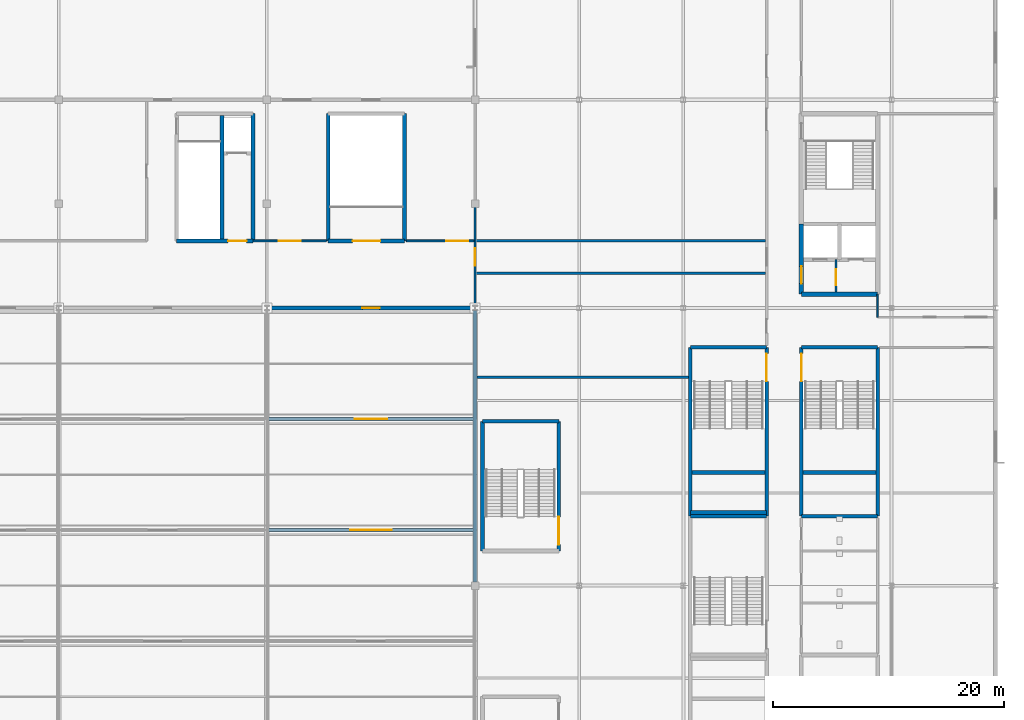
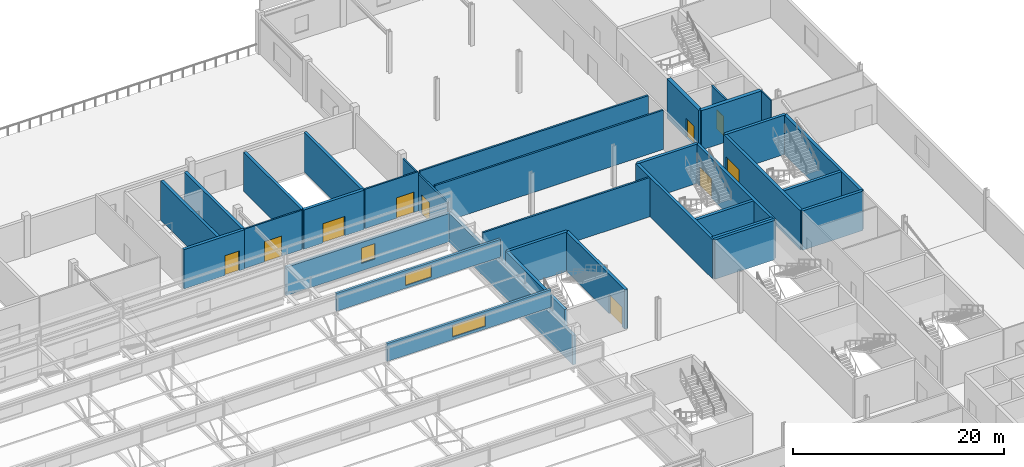
# One storey, part 106 of 136: 34 walls, 10 doors, 3 windows, 13 openings.
"""IFC4 building model written with IfcOpenShell, lengths in metres."""

from ifc_helpers import new_model, si_unit, direction, frame, frame_2d, origin, place, context, subcontext, project, spatial, rectangle, extrude, material, layer, layer_set, type_object, element, fill, save


model = new_model("IFC4")

# Units and contexts
model_context = context("Model", 3, precision=1e-05, world=origin(), true_north=direction((0.0, 1.0)))
body_context = subcontext(model_context, "Body", "Model", "MODEL_VIEW")
ifc_project = project(units=[si_unit("LENGTHUNIT", "METRE"), si_unit("AREAUNIT", "SQUARE_METRE"), si_unit("VOLUMEUNIT", "CUBIC_METRE"), si_unit("PLANEANGLEUNIT", "RADIAN"), si_unit("MASSUNIT", "GRAM", prefix="KILO")], contexts=[model_context])

# Site, building, storey
site_placement = place(None, origin())
site = spatial("IfcSite", under=ifc_project, at=site_placement, CompositionType="ELEMENT")
building_placement = place(site_placement, origin())
building = spatial("IfcBuilding", under=site, at=building_placement, Name="Kisiwana Market Hall", CompositionType="ELEMENT")
storey_placement = place(building_placement, frame((0.0, 0.0, 16.800048828125)))
storey = spatial("IfcBuildingStorey", under=building, at=storey_placement, Name="L03", CompositionType="ELEMENT", Elevation=16.800048828125)

# Wall, opening, door
ifc_material_1 = material(Name="Masonry blockwork", Category="masonry")
ifc_layer_1 = layer(ifc_material_1, 0.199951171875, Name="Plastered fire compartment block wall")
ifc_layer_set_1 = layer_set([ifc_layer_1], Name="WL-COMP-200")
wall_type_1 = type_object("IfcWallType", Name="WL-COMP-200", PredefinedType="PARTITIONING", material=ifc_layer_set_1)
wall_1_placement = place(storey_placement, frame((184.199951171875, 85.39990234375, 0.0), z_axis=(0.0, 0.0, 1.0), x_axis=(0.0, 1.0, 0.0)))
wall_1 = element("IfcWall", 1, at=wall_1_placement, inside=storey, type_object=wall_type_1, Name="Core E1 firefighting lobby wall W-1441", PredefinedType="PARTITIONING", context=body_context, shape_type="SweptSolid", body=[
    extrude(rectangle(XDim=2.780029296875, YDim=0.199951171875, at=frame_2d((1.39013671875, 0.0))), origin(), (0.0, 0.0, 1.0), 4.554931640625),
])
opening_1_placement = place(wall_1_placement, frame((0.550048828125, 0.0, 0.0)))
opening_1 = element("IfcOpeningElement", 2, at=opening_1_placement, cuts=wall_1, Name="Opening DR-L03-012", PredefinedType="OPENING", context=body_context, shape_type="SweptSolid", body=[
    extrude(rectangle(XDim=1.39990234375, YDim=2.25, at=frame_2d((0.699951171875, 1.125))), frame((0.0, 0.11181640625, 0.0), z_axis=(0.0, -1.0, 0.0), x_axis=(1.0, 0.0, 0.0)), (0.0, 0.0, 1.0), 0.223876953125),
])
ifc_material_2 = material(Name="Steel S275", Category="steel")
door_type_1 = type_object("IfcDoorType", Name="DR-FFLOB-FD120-1400", OperationType="DOUBLE_DOOR_SINGLE_SWING", PredefinedType="DOOR", material=ifc_material_2)
door_1_placement = place(opening_1_placement, origin())
door_1 = element("IfcDoor", 3, at=door_1_placement, inside=storey, type_object=door_type_1, Name="Firefighting Lift Lobby E1 Door (L03)", OperationType="DOUBLE_DOOR_SINGLE_SWING", OverallHeight=2.25, OverallWidth=1.39990234375, PredefinedType="DOOR", context=body_context, shape_type="SweptSolid", body=[
    extrude(rectangle(XDim=1.39990234375, YDim=2.25, at=frame_2d((0.699951171875, 1.125))), frame((0.0, 0.02490234375, 0.0), z_axis=(0.0, -1.0, 0.0), x_axis=(1.0, 0.0, 0.0)), (0.0, 0.0, 1.0), 0.050048828125),
])
fill(opening_1, door_1)

# Walls
wall_2_placement = place(storey_placement, frame((153.169921875, 78.0, 0.0), z_axis=(0.0, 0.0, 1.0), x_axis=(1.0, 0.0, 0.0)))
element("IfcWall", 4, at=wall_2_placement, inside=storey, type_object=wall_type_1, Name="Interior partition W-1483", PredefinedType="PARTITIONING", context=body_context, shape_type="SweptSolid", body=[
    extrude(rectangle(XDim=18.27001953125, YDim=0.199951171875, at=frame_2d((9.135009765625, 0.0))), origin(), (0.0, 0.0, 1.0), 4.554931640625),
])
for number, where, z_axis, x_axis, name in (
    (5, (153.0849609375, 87.0, 0.0), (0.0, 0.0, 1.0), (1.0, 0.0, 0.0), "Interior partition W-1484"),
    (6, (153.0849609375, 89.800048828125, 0.0), (0.0, 0.0, 1.0), (1.0, 0.0, 0.0), "Interior partition W-1485"),
):
    element("IfcWall", number, at=place(storey_placement, frame(where, z_axis=z_axis, x_axis=x_axis)), inside=storey, type_object=wall_type_1, Name=name, PredefinedType="PARTITIONING", context=body_context, shape_type="SweptSolid", body=[
        extrude(rectangle(XDim=25.01513671875, YDim=0.199951171875, at=frame_2d((12.507568359375, 0.0))), origin(), (0.0, 0.0, 1.0), 4.554931640625),
    ])

# Wall, opening, door
ifc_material_3 = material(Name="Concrete C40/50", Category="concrete")
ifc_layer_2 = layer(ifc_material_3, 0.320068359375, Name="Reinforced concrete shaft wall")
ifc_layer_set_2 = layer_set([ifc_layer_2], Name="WL-CORE-320")
wall_type_2 = type_object("IfcWallType", Name="WL-CORE-320", PredefinedType="SHEAR", material=ifc_layer_set_2)
wall_3_placement = place(storey_placement, frame((127.199951171875, 89.800048828125, 0.0), z_axis=(0.0, 0.0, 1.0), x_axis=(1.0, 0.0, 0.0)))
wall_3 = element("IfcWall", 7, at=wall_3_placement, inside=storey, type_object=wall_type_2, Name="Core N2 south wall W-1236", PredefinedType="SHEAR", context=body_context, shape_type="SweptSolid", body=[
    extrude(rectangle(XDim=6.60009765625, YDim=0.320068359375, at=frame_2d((3.300048828125, 0.0))), origin(), (0.0, 0.0, 1.0), 4.554931640625),
])
opening_2_placement = place(wall_3_placement, frame((4.449951171875, 0.0, 0.0)))
opening_2 = element("IfcOpeningElement", 8, at=opening_2_placement, cuts=wall_3, Name="Opening DR-L03-018", PredefinedType="OPENING", context=body_context, shape_type="SweptSolid", body=[
    extrude(rectangle(XDim=1.60009765625, YDim=2.300048828125, at=frame_2d((0.800048828125, 1.14990234375))), frame((0.0, 0.171875, 0.0), z_axis=(0.0, -1.0, 0.0), x_axis=(1.0, 0.0, 0.0)), (0.0, 0.0, 1.0), 0.343994140625),
])
ifc_material_4 = material(Name="Steel S275", Category="steel")
door_type_2 = type_object("IfcDoorType", Name="DR-PLANT-FD120-1600", OperationType="DOUBLE_DOOR_SINGLE_SWING", PredefinedType="DOOR", material=ifc_material_4)
door_2_placement = place(opening_2_placement, origin())
door_2 = element("IfcDoor", 9, at=door_2_placement, inside=storey, type_object=door_type_2, Name="Goods Lift Lobby N2 Door (L03)", OperationType="DOUBLE_DOOR_SINGLE_SWING", OverallHeight=2.300048828125, OverallWidth=1.60009765625, PredefinedType="DOOR", context=body_context, shape_type="SweptSolid", body=[
    extrude(rectangle(XDim=1.60009765625, YDim=2.300048828125, at=frame_2d((0.800048828125, 1.14990234375))), frame((0.0, 0.02490234375, 0.0), z_axis=(0.0, -1.0, 0.0), x_axis=(1.0, 0.0, 0.0)), (0.0, 0.0, 1.0), 0.050048828125),
])
fill(opening_2, door_2)

# Walls
wall_4_placement = place(storey_placement, frame((133.800048828125, 89.800048828125, 0.0), z_axis=(0.0, 0.0, 1.0), x_axis=(0.0, 1.0, 0.0)))
element("IfcWall", 10, at=wall_4_placement, inside=storey, type_object=wall_type_2, Name="Core N2 east wall W-1239", PredefinedType="SHEAR", context=body_context, shape_type="SweptSolid", body=[
    extrude(rectangle(XDim=11.0, YDim=0.320068359375, at=frame_2d((5.5, 0.0))), origin(), (0.0, 0.0, 1.0), 4.554931640625),
])
wall_5_placement = place(storey_placement, frame((131.1201171875, 89.9599609375, 0.0), z_axis=(0.0, 0.0, 1.0), x_axis=(0.0, 1.0, 0.0)))
element("IfcWall", 11, at=wall_5_placement, inside=storey, type_object=wall_type_2, Name="Core N2 shaft divider W-1240", PredefinedType="SHEAR", context=body_context, shape_type="SweptSolid", body=[
    extrude(rectangle(XDim=10.679931640625, YDim=0.320068359375, at=frame_2d((5.33984375, 0.0))), origin(), (0.0, 0.0, 1.0), 4.554931640625),
])
for number, where, z_axis, x_axis, name in (
    (12, (181.199951171875, 66.0, 0.0), (0.0, 0.0, 1.0), (1.0, 0.0, 0.0), "Core E4 south shear wall W-1257"),
    (13, (181.199951171875, 80.60009765625, 0.0), (0.0, 0.0, 1.0), (1.0, 0.0, 0.0), "Core E4 north shear wall W-1258"),
):
    element("IfcWall", number, at=place(storey_placement, frame(where, z_axis=z_axis, x_axis=x_axis)), inside=storey, type_object=wall_type_2, Name=name, PredefinedType="SHEAR", context=body_context, shape_type="SweptSolid", body=[
        extrude(rectangle(XDim=6.60009765625, YDim=0.320068359375, at=frame_2d((3.300048828125, 0.0))), origin(), (0.0, 0.0, 1.0), 4.554931640625),
    ])

# Wall, opening, door
wall_6_placement = place(storey_placement, frame((181.199951171875, 66.0, 0.0), z_axis=(0.0, 0.0, 1.0), x_axis=(0.0, 1.0, 0.0)))
wall_6 = element("IfcWall", 14, at=wall_6_placement, inside=storey, type_object=wall_type_2, Name="Core E4 corridor shear wall W-1259", PredefinedType="SHEAR", context=body_context, shape_type="SweptSolid", body=[
    extrude(rectangle(XDim=14.60009765625, YDim=0.320068359375, at=frame_2d((7.300048828125, 0.0))), origin(), (0.0, 0.0, 1.0), 4.554931640625),
])
opening_3_placement = place(wall_6_placement, frame((11.64990234375, 0.0, 0.0)))
opening_3 = element("IfcOpeningElement", 15, at=opening_3_placement, cuts=wall_6, Name="Opening DR-L03-022", PredefinedType="OPENING", context=body_context, shape_type="SweptSolid", body=[
    extrude(rectangle(XDim=2.39990234375, YDim=2.25, at=frame_2d((1.199951171875, 1.125))), frame((0.0, 0.171875, 0.0), z_axis=(0.0, -1.0, 0.0), x_axis=(1.0, 0.0, 0.0)), (0.0, 0.0, 1.0), 0.343994140625),
])
ifc_material_5 = material(Name="Steel S275", Category="steel")
door_type_3 = type_object("IfcDoorType", Name="DR-STAIR-FD120-2400", OperationType="DOUBLE_DOOR_SINGLE_SWING", PredefinedType="DOOR", material=ifc_material_5)
door_3_placement = place(opening_3_placement, frame((2.39990234375, 0.0, 0.0), z_axis=(0.0, 0.0, 1.0), x_axis=(-1.0, 0.0, 0.0)))
door_3 = element("IfcDoor", 16, at=door_3_placement, inside=storey, type_object=door_type_3, Name="Escape Stair E4 Fire Door (L03)", OperationType="DOUBLE_DOOR_SINGLE_SWING", OverallHeight=2.25, OverallWidth=2.39990234375, PredefinedType="DOOR", context=body_context, shape_type="SweptSolid", body=[
    extrude(rectangle(XDim=2.39990234375, YDim=2.25, at=frame_2d((1.199951171875, 1.125))), frame((0.0, 0.02490234375, 0.0), z_axis=(0.0, -1.0, 0.0), x_axis=(1.0, 0.0, 0.0)), (0.0, 0.0, 1.0), 0.050048828125),
])
fill(opening_3, door_3)

# Walls
wall_7_placement = place(storey_placement, frame((187.800048828125, 66.0, 0.0), z_axis=(0.0, 0.0, 1.0), x_axis=(0.0, 1.0, 0.0)))
element("IfcWall", 17, at=wall_7_placement, inside=storey, type_object=wall_type_2, Name="Core E4 outer shear wall W-1260", PredefinedType="SHEAR", context=body_context, shape_type="SweptSolid", body=[
    extrude(rectangle(XDim=14.60009765625, YDim=0.320068359375, at=frame_2d((7.300048828125, 0.0))), origin(), (0.0, 0.0, 1.0), 4.554931640625),
])
wall_8_placement = place(storey_placement, frame((181.360107421875, 69.780029296875, 0.0), z_axis=(0.0, 0.0, 1.0), x_axis=(1.0, 0.0, 0.0)))
element("IfcWall", 18, at=wall_8_placement, inside=storey, type_object=wall_type_2, Name="Core E4 riser divider shear wall W-1261", PredefinedType="SHEAR", context=body_context, shape_type="SweptSolid", body=[
    extrude(rectangle(XDim=6.27978515625, YDim=0.320068359375, at=frame_2d((3.139892578125, 0.0))), origin(), (0.0, 0.0, 1.0), 4.554931640625),
])
for number, where, z_axis, x_axis, name in (
    (19, (171.60009765625, 66.0, 0.0), (0.0, 0.0, 1.0), (1.0, 0.0, 0.0), "Core E8 south shear wall W-1277"),
    (20, (171.60009765625, 80.60009765625, 0.0), (0.0, 0.0, 1.0), (1.0, 0.0, 0.0), "Core E8 north shear wall W-1278"),
):
    element("IfcWall", number, at=place(storey_placement, frame(where, z_axis=z_axis, x_axis=x_axis)), inside=storey, type_object=wall_type_2, Name=name, PredefinedType="SHEAR", context=body_context, shape_type="SweptSolid", body=[
        extrude(rectangle(XDim=6.599853515625, YDim=0.320068359375, at=frame_2d((3.2998046875, 0.0))), origin(), (0.0, 0.0, 1.0), 4.554931640625),
    ])
wall_9_placement = place(storey_placement, frame((171.60009765625, 66.0, 0.0), z_axis=(0.0, 0.0, 1.0), x_axis=(0.0, 1.0, 0.0)))
element("IfcWall", 21, at=wall_9_placement, inside=storey, type_object=wall_type_2, Name="Core E8 outer shear wall W-1279", PredefinedType="SHEAR", context=body_context, shape_type="SweptSolid", body=[
    extrude(rectangle(XDim=14.60009765625, YDim=0.320068359375, at=frame_2d((7.300048828125, 0.0))), origin(), (0.0, 0.0, 1.0), 4.554931640625),
])

# Wall, opening, door
wall_10_placement = place(storey_placement, frame((178.199951171875, 66.0, 0.0), z_axis=(0.0, 0.0, 1.0), x_axis=(0.0, 1.0, 0.0)))
wall_10 = element("IfcWall", 22, at=wall_10_placement, inside=storey, type_object=wall_type_2, Name="Core E8 corridor shear wall W-1280", PredefinedType="SHEAR", context=body_context, shape_type="SweptSolid", body=[
    extrude(rectangle(XDim=14.60009765625, YDim=0.320068359375, at=frame_2d((7.300048828125, 0.0))), origin(), (0.0, 0.0, 1.0), 4.554931640625),
])
opening_4_placement = place(wall_10_placement, frame((11.64990234375, 0.0, 0.0)))
opening_4 = element("IfcOpeningElement", 23, at=opening_4_placement, cuts=wall_10, Name="Opening DR-L03-026", PredefinedType="OPENING", context=body_context, shape_type="SweptSolid", body=[
    extrude(rectangle(XDim=2.39990234375, YDim=2.25, at=frame_2d((1.199951171875, 1.125))), frame((0.0, 0.171875, 0.0), z_axis=(0.0, -1.0, 0.0), x_axis=(1.0, 0.0, 0.0)), (0.0, 0.0, 1.0), 0.343994140625),
])
door_4_placement = place(opening_4_placement, origin())
door_4 = element("IfcDoor", 24, at=door_4_placement, inside=storey, type_object=door_type_3, Name="Escape Stair E8 Fire Door (L03)", OperationType="DOUBLE_DOOR_SINGLE_SWING", OverallHeight=2.25, OverallWidth=2.39990234375, PredefinedType="DOOR", context=body_context, shape_type="SweptSolid", body=[
    extrude(rectangle(XDim=2.39990234375, YDim=2.25, at=frame_2d((1.199951171875, 1.125))), frame((0.0, 0.02490234375, 0.0), z_axis=(0.0, -1.0, 0.0), x_axis=(1.0, 0.0, 0.0)), (0.0, 0.0, 1.0), 0.050048828125),
])
fill(opening_4, door_4)

# Walls
wall_11_placement = place(storey_placement, frame((171.760009765625, 69.780029296875, 0.0), z_axis=(0.0, 0.0, 1.0), x_axis=(1.0, 0.0, 0.0)))
element("IfcWall", 25, at=wall_11_placement, inside=storey, type_object=wall_type_2, Name="Core E8 riser divider shear wall W-1281", PredefinedType="SHEAR", context=body_context, shape_type="SweptSolid", body=[
    extrude(rectangle(XDim=6.280029296875, YDim=0.320068359375, at=frame_2d((3.14013671875, 0.0))), origin(), (0.0, 0.0, 1.0), 4.554931640625),
])
wall_12_placement = place(storey_placement, frame((153.6298828125, 74.199951171875, 0.0), z_axis=(0.0, 0.0, 1.0), x_axis=(1.0, 0.0, 0.0)))
element("IfcWall", 26, at=wall_12_placement, inside=storey, type_object=wall_type_2, Name="Core E10 north shear wall W-1295", PredefinedType="SHEAR", context=body_context, shape_type="SweptSolid", body=[
    extrude(rectangle(XDim=6.60009765625, YDim=0.320068359375, at=frame_2d((3.300048828125, 0.0))), origin(), (0.0, 0.0, 1.0), 4.554931640625),
])
wall_13_placement = place(storey_placement, frame((153.6298828125, 63.0, 0.0), z_axis=(0.0, 0.0, 1.0), x_axis=(0.0, 1.0, 0.0)))
element("IfcWall", 27, at=wall_13_placement, inside=storey, type_object=wall_type_2, Name="Core E10 outer shear wall W-1296", PredefinedType="SHEAR", context=body_context, shape_type="SweptSolid", body=[
    extrude(rectangle(XDim=11.199951171875, YDim=0.320068359375, at=frame_2d((5.60009765625, 0.0))), origin(), (0.0, 0.0, 1.0), 4.554931640625),
])

# Wall, opening, door
wall_14_placement = place(storey_placement, frame((160.22998046875, 63.0, 0.0), z_axis=(0.0, 0.0, 1.0), x_axis=(0.0, 1.0, 0.0)))
wall_14 = element("IfcWall", 28, at=wall_14_placement, inside=storey, type_object=wall_type_2, Name="Core E10 corridor shear wall W-1297", PredefinedType="SHEAR", context=body_context, shape_type="SweptSolid", body=[
    extrude(rectangle(XDim=11.199951171875, YDim=0.320068359375, at=frame_2d((5.60009765625, 0.0))), origin(), (0.0, 0.0, 1.0), 4.554931640625),
])
opening_5_placement = place(wall_14_placement, frame((0.550048828125, 0.0, 0.0)))
opening_5 = element("IfcOpeningElement", 29, at=opening_5_placement, cuts=wall_14, Name="Opening DR-L03-030", PredefinedType="OPENING", context=body_context, shape_type="SweptSolid", body=[
    extrude(rectangle(XDim=2.39990234375, YDim=2.25, at=frame_2d((1.199951171875, 1.125))), frame((0.0, 0.171875, 0.0), z_axis=(0.0, -1.0, 0.0), x_axis=(1.0, 0.0, 0.0)), (0.0, 0.0, 1.0), 0.343994140625),
])
door_5_placement = place(opening_5_placement, origin())
door_5 = element("IfcDoor", 30, at=door_5_placement, inside=storey, type_object=door_type_3, Name="Escape Stair E10 Fire Door (L03)", OperationType="DOUBLE_DOOR_SINGLE_SWING", OverallHeight=2.25, OverallWidth=2.39990234375, PredefinedType="DOOR", context=body_context, shape_type="SweptSolid", body=[
    extrude(rectangle(XDim=2.39990234375, YDim=2.25, at=frame_2d((1.199951171875, 1.125))), frame((0.0, 0.02490234375, 0.0), z_axis=(0.0, -1.0, 0.0), x_axis=(1.0, 0.0, 0.0)), (0.0, 0.0, 1.0), 0.050048828125),
])
fill(opening_5, door_5)

# Wall
wall_15_placement = place(storey_placement, frame((171.60009765625, 66.320068359375, 0.0), z_axis=(0.0, 0.0, 1.0), x_axis=(1.0, 0.0, 0.0)))
element("IfcWall", 31, at=wall_15_placement, inside=storey, type_object=wall_type_2, Name="Core E5 north shear wall W-1303", PredefinedType="SHEAR", context=body_context, shape_type="SweptSolid", body=[
    extrude(rectangle(XDim=6.599853515625, YDim=0.320068359375, at=frame_2d((3.2998046875, 0.0))), origin(), (0.0, 0.0, 1.0), 4.554931640625),
])

# Wall, opening, door
wall_16_placement = place(storey_placement, frame((140.300048828125, 89.800048828125, 0.0), z_axis=(0.0, 0.0, 1.0), x_axis=(1.0, 0.0, 0.0)))
wall_16 = element("IfcWall", 32, at=wall_16_placement, inside=storey, type_object=wall_type_2, Name="Core N6 corridor shear wall W-1334", PredefinedType="SHEAR", context=body_context, shape_type="SweptSolid", body=[
    extrude(rectangle(XDim=6.599853515625, YDim=0.320068359375, at=frame_2d((3.2998046875, 0.0))), origin(), (0.0, 0.0, 1.0), 4.554931640625),
])
opening_6_placement = place(wall_16_placement, frame((2.10009765625, 0.0, 0.0)))
opening_6 = element("IfcOpeningElement", 33, at=opening_6_placement, cuts=wall_16, Name="Opening DR-L03-040", PredefinedType="OPENING", context=body_context, shape_type="SweptSolid", body=[
    extrude(rectangle(XDim=2.39990234375, YDim=2.25, at=frame_2d((1.199951171875, 1.125))), frame((0.0, 0.171875, 0.0), z_axis=(0.0, -1.0, 0.0), x_axis=(1.0, 0.0, 0.0)), (0.0, 0.0, 1.0), 0.343994140625),
])
door_6_placement = place(opening_6_placement, origin())
door_6 = element("IfcDoor", 34, at=door_6_placement, inside=storey, type_object=door_type_3, Name="Escape Stair N6 Fire Door (L03)", OperationType="DOUBLE_DOOR_SINGLE_SWING", OverallHeight=2.25, OverallWidth=2.39990234375, PredefinedType="DOOR", context=body_context, shape_type="SweptSolid", body=[
    extrude(rectangle(XDim=2.39990234375, YDim=2.25, at=frame_2d((1.199951171875, 1.125))), frame((0.0, 0.02490234375, 0.0), z_axis=(0.0, -1.0, 0.0), x_axis=(1.0, 0.0, 0.0)), (0.0, 0.0, 1.0), 0.050048828125),
])
fill(opening_6, door_6)

# Walls
for number, where, z_axis, x_axis, name in (
    (35, (140.300048828125, 89.800048828125, 0.0), (0.0, 0.0, 1.0), (0.0, 1.0, 0.0), "Core N6 west shear wall W-1336"),
    (36, (146.89990234375, 89.800048828125, 0.0), (0.0, 0.0, 1.0), (0.0, 1.0, 0.0), "Core N6 east shear wall W-1337"),
):
    element("IfcWall", number, at=place(storey_placement, frame(where, z_axis=z_axis, x_axis=x_axis)), inside=storey, type_object=wall_type_2, Name=name, PredefinedType="SHEAR", context=body_context, shape_type="SweptSolid", body=[
        extrude(rectangle(XDim=11.0, YDim=0.320068359375, at=frame_2d((5.5, 0.0))), origin(), (0.0, 0.0, 1.0), 4.554931640625),
    ])
ifc_material_6 = material(Name="Concrete C40/50", Category="concrete")
ifc_layer_3 = layer(ifc_material_6, 0.39990234375, Name="Reinforced concrete core wall")
ifc_layer_set_3 = layer_set([ifc_layer_3], Name="WL-CORE-400")
wall_type_3 = type_object("IfcWallType", Name="WL-CORE-400", PredefinedType="SHEAR", material=ifc_layer_set_3)
wall_17_placement = place(storey_placement, frame((181.199951171875, 85.199951171875, 0.0), z_axis=(0.0, 0.0, 1.0), x_axis=(1.0, 0.0, 0.0)))
element("IfcWall", 37, at=wall_17_placement, inside=storey, type_object=wall_type_3, Name="Core E1 south shear wall W-1211", PredefinedType="SHEAR", context=body_context, shape_type="SweptSolid", body=[
    extrude(rectangle(XDim=6.60009765625, YDim=0.39990234375, at=frame_2d((3.300048828125, 0.0))), origin(), (0.0, 0.0, 1.0), 4.554931640625),
])

# Wall, opening, door
wall_18_placement = place(storey_placement, frame((181.199951171875, 85.199951171875, 0.0), z_axis=(0.0, 0.0, 1.0), x_axis=(0.0, 1.0, 0.0)))
wall_18 = element("IfcWall", 38, at=wall_18_placement, inside=storey, type_object=wall_type_3, Name="Core E1 lobby corridor shear wall W-1214", PredefinedType="SHEAR", context=body_context, shape_type="SweptSolid", body=[
    extrude(rectangle(XDim=6.0400390625, YDim=0.39990234375, at=frame_2d((3.02001953125, 0.0))), origin(), (0.0, 0.0, 1.0), 4.554931640625),
])
opening_7_placement = place(wall_18_placement, frame((0.89990234375, 0.0, 0.0)))
opening_7 = element("IfcOpeningElement", 39, at=opening_7_placement, cuts=wall_18, Name="Opening DR-L03-010", PredefinedType="OPENING", context=body_context, shape_type="SweptSolid", body=[
    extrude(rectangle(XDim=1.5, YDim=2.199951171875, at=frame_2d((0.75, 1.10009765625))), frame((0.0, 0.2119140625, 0.0), z_axis=(0.0, -1.0, 0.0), x_axis=(1.0, 0.0, 0.0)), (0.0, 0.0, 1.0), 0.423828125),
])
ifc_material_7 = material(Name="Steel S275", Category="steel")
door_type_4 = type_object("IfcDoorType", Name="DR-CORR-FD60-1500", OperationType="DOUBLE_DOOR_SINGLE_SWING", PredefinedType="DOOR", material=ifc_material_7)
door_7_placement = place(opening_7_placement, origin())
door_7 = element("IfcDoor", 40, at=door_7_placement, inside=storey, type_object=door_type_4, Name="Passenger Lift Lobby E1 Smoke Door (L03)", OperationType="DOUBLE_DOOR_SINGLE_SWING", OverallHeight=2.199951171875, OverallWidth=1.5, PredefinedType="DOOR", context=body_context, shape_type="SweptSolid", body=[
    extrude(rectangle(XDim=1.5, YDim=2.199951171875, at=frame_2d((0.75, 1.10009765625))), frame((0.0, 0.02490234375, 0.0), z_axis=(0.0, -1.0, 0.0), x_axis=(1.0, 0.0, 0.0)), (0.0, 0.0, 1.0), 0.050048828125),
])
fill(opening_7, door_7)

ifc_material_8 = material(Name="Masonry blockwork", Category="masonry")
ifc_layer_4 = layer(ifc_material_8, 0.169921875, Name="Protected corridor partition")
ifc_layer_set_4 = layer_set([ifc_layer_4], Name="WL-CORR-170")
wall_type_4 = type_object("IfcWallType", Name="WL-CORR-170", PredefinedType="PARTITIONING", material=ifc_layer_set_4)
wall_19_placement = place(storey_placement, frame((153.0, 84.219970703125, 0.0), z_axis=(0.0, 0.0, 1.0), x_axis=(0.0, 1.0, 0.0)))
wall_19 = element("IfcWall", 41, at=wall_19_placement, inside=storey, type_object=wall_type_4, Name="Interior partition W-1490", PredefinedType="PARTITIONING", context=body_context, shape_type="SweptSolid", body=[
    extrude(rectangle(XDim=8.56005859375, YDim=0.169921875, at=frame_2d((4.280029296875, 0.0))), origin(), (0.0, 0.0, 1.0), 4.258056640625),
])
opening_8_placement = place(wall_19_placement, frame((3.429931640625, 0.0, 0.0)))
opening_8 = element("IfcOpeningElement", 42, at=opening_8_placement, cuts=wall_19, Name="Opening DR-L03-085", PredefinedType="OPENING", context=body_context, shape_type="SweptSolid", body=[
    extrude(rectangle(XDim=1.5, YDim=2.199951171875, at=frame_2d((0.75, 1.10009765625))), frame((0.0, 0.096923828125, 0.0), z_axis=(0.0, -1.0, 0.0), x_axis=(1.0, 0.0, 0.0)), (0.0, 0.0, 1.0), 0.19384765625),
])
door_8_placement = place(opening_8_placement, origin())
door_8 = element("IfcDoor", 43, at=door_8_placement, inside=storey, type_object=door_type_4, Name="L03 E North Spine Link Door", OperationType="DOUBLE_DOOR_SINGLE_SWING", OverallHeight=2.199951171875, OverallWidth=1.5, PredefinedType="DOOR", context=body_context, shape_type="SweptSolid", body=[
    extrude(rectangle(XDim=1.5, YDim=2.199951171875, at=frame_2d((0.75, 1.10009765625))), frame((0.0, 0.02490234375, 0.0), z_axis=(0.0, -1.0, 0.0), x_axis=(1.0, 0.0, 0.0)), (0.0, 0.0, 1.0), 0.050048828125),
])
fill(opening_8, door_8)

wall_20_placement = place(storey_placement, frame((133.800048828125, 89.800048828125, 0.0), z_axis=(0.0, 0.0, 1.0), x_axis=(1.0, 0.0, 0.0)))
wall_20 = element("IfcWall", 44, at=wall_20_placement, inside=storey, type_object=wall_type_4, Name="Interior partition W-1508", PredefinedType="PARTITIONING", context=body_context, shape_type="SweptSolid", body=[
    extrude(rectangle(XDim=6.33984375, YDim=0.169921875, at=frame_2d((3.169921875, 0.0))), origin(), (0.0, 0.0, 1.0), 4.554931640625),
])
opening_9_placement = place(wall_20_placement, frame((2.219970703125, 0.0, 0.0)))
opening_9 = element("IfcOpeningElement", 45, at=opening_9_placement, cuts=wall_20, Name="Opening DR-L03-100", PredefinedType="OPENING", context=body_context, shape_type="SweptSolid", body=[
    extrude(rectangle(XDim=1.89990234375, YDim=2.35009765625, at=frame_2d((0.949951171875, 1.175048828125))), frame((0.0, 0.096923828125, 0.0), z_axis=(0.0, -1.0, 0.0), x_axis=(1.0, 0.0, 0.0)), (0.0, 0.0, 1.0), 0.19384765625),
])
ifc_material_9 = material(Name="Steel S275", Category="steel")
door_type_5 = type_object("IfcDoorType", Name="DR-HALL-1900", OperationType="DOUBLE_DOOR_SINGLE_SWING", PredefinedType="DOOR", material=ifc_material_9)
door_9_placement = place(opening_9_placement, origin())
door_9 = element("IfcDoor", 46, at=door_9_placement, inside=storey, type_object=door_type_5, Name="L03 NE Terrace Lounge Door", OperationType="DOUBLE_DOOR_SINGLE_SWING", OverallHeight=2.35009765625, OverallWidth=1.89990234375, PredefinedType="DOOR", context=body_context, shape_type="SweptSolid", body=[
    extrude(rectangle(XDim=1.89990234375, YDim=2.35009765625, at=frame_2d((0.949951171875, 1.175048828125))), frame((0.0, 0.02490234375, 0.0), z_axis=(0.0, -1.0, 0.0), x_axis=(1.0, 0.0, 0.0)), (0.0, 0.0, 1.0), 0.050048828125),
])
fill(opening_9, door_9)

wall_21_placement = place(storey_placement, frame((147.06005859375, 89.800048828125, 0.0), z_axis=(0.0, 0.0, 1.0), x_axis=(1.0, 0.0, 0.0)))
wall_21 = element("IfcWall", 47, at=wall_21_placement, inside=storey, type_object=wall_type_4, Name="Interior partition W-1509", PredefinedType="PARTITIONING", context=body_context, shape_type="SweptSolid", body=[
    extrude(rectangle(XDim=5.85498046875, YDim=0.169921875, at=frame_2d((2.927490234375, 0.0))), origin(), (0.0, 0.0, 1.0), 4.554931640625),
])
opening_10_placement = place(wall_21_placement, frame((3.449951171875, 0.0, 0.0)))
opening_10 = element("IfcOpeningElement", 48, at=opening_10_placement, cuts=wall_21, Name="Opening DR-L03-101", PredefinedType="OPENING", context=body_context, shape_type="SweptSolid", body=[
    extrude(rectangle(XDim=1.89990234375, YDim=2.35009765625, at=frame_2d((0.949951171875, 1.175048828125))), frame((0.0, 0.096923828125, 0.0), z_axis=(0.0, -1.0, 0.0), x_axis=(1.0, 0.0, 0.0)), (0.0, 0.0, 1.0), 0.19384765625),
])
door_10_placement = place(opening_10_placement, origin())
door_10 = element("IfcDoor", 49, at=door_10_placement, inside=storey, type_object=door_type_5, Name="L03 E North East Terrace Lounge Exit Door", OperationType="DOUBLE_DOOR_SINGLE_SWING", OverallHeight=2.35009765625, OverallWidth=1.89990234375, PredefinedType="DOOR", context=body_context, shape_type="SweptSolid", body=[
    extrude(rectangle(XDim=1.89990234375, YDim=2.35009765625, at=frame_2d((0.949951171875, 1.175048828125))), frame((0.0, 0.02490234375, 0.0), z_axis=(0.0, -1.0, 0.0), x_axis=(1.0, 0.0, 0.0)), (0.0, 0.0, 1.0), 0.050048828125),
])
fill(opening_10, door_10)

# Wall, opening, window
ifc_material_10 = material(Name="Aluminium alloy 6063-T6", Category="aluminium")
ifc_layer_5 = layer(ifc_material_10, 0.06005859375, Name="Insulated metal-clad clerestory wall")
ifc_material_11 = material(Name="Mineral wool insulation")
ifc_layer_6 = layer(ifc_material_11, 0.10009765625, Name="Mineral wool core")
ifc_material_12 = material(Name="Masonry blockwork", Category="masonry")
ifc_layer_7 = layer(ifc_material_12, 0.10009765625, Name="Masonry backing")
ifc_layer_set_5 = layer_set([ifc_layer_5, ifc_layer_6, ifc_layer_7], Name="WL-EXT-CLER-260")
wall_type_5 = type_object("IfcWallType", Name="WL-EXT-CLER-260", PredefinedType="STANDARD", material=ifc_layer_set_5)
wall_22_placement = place(storey_placement, frame((135.0, 64.800048828125, 4.0048828125), z_axis=(0.0, 0.0, 1.0), x_axis=(1.0, 0.0, 0.0)))
wall_22 = element("IfcWall", 50, at=wall_22_placement, inside=storey, type_object=wall_type_5, Name="Sawtooth clerestory wall W-1430", PredefinedType="STANDARD", context=body_context, shape_type="SweptSolid", body=[
    extrude(rectangle(XDim=17.989990234375, YDim=0.260009765625, at=frame_2d((8.9951171875, 0.0))), origin(), (0.0, 0.0, 1.0), 2.049072265625),
])
opening_11_placement = place(wall_22_placement, frame((7.195068359375, 0.0, 0.320068359375)))
opening_11 = element("IfcOpeningElement", 51, at=opening_11_placement, cuts=wall_22, Name="Opening WN-09", PredefinedType="OPENING", context=body_context, shape_type="SweptSolid", body=[
    extrude(rectangle(XDim=3.60009765625, YDim=1.35009765625, at=frame_2d((1.800048828125, 0.675048828125))), frame((0.0, 0.14208984375, 0.0), z_axis=(0.0, -1.0, 0.0), x_axis=(1.0, 0.0, 0.0)), (0.0, 0.0, 1.0), 0.283935546875),
])
ifc_material_13 = material(Name="Double-glazed solar-control low-E IGU", Category="glass")
window_type_1 = type_object("IfcWindowType", Name="WN-CLER-3600x1500", PartitioningType="SINGLE_PANEL", PredefinedType="SKYLIGHT", material=ifc_material_13)
window_1_placement = place(opening_11_placement, origin())
window_1 = element("IfcWindow", 52, at=window_1_placement, inside=storey, type_object=window_type_1, Name="North-light sawtooth clerestory WN-067", OverallHeight=1.35009765625, OverallWidth=3.60009765625, PartitioningType="SINGLE_PANEL", PredefinedType="SKYLIGHT", context=body_context, shape_type="SweptSolid", body=[
    extrude(rectangle(XDim=3.60009765625, YDim=1.35009765625, at=frame_2d((1.800048828125, 0.675048828125))), frame((0.0, 0.030029296875, 0.0), z_axis=(0.0, -1.0, 0.0), x_axis=(1.0, 0.0, 0.0)), (0.0, 0.0, 1.0), 0.06005859375),
])
fill(opening_11, window_1)

wall_23_placement = place(storey_placement, frame((135.0, 74.39990234375, 4.0048828125), z_axis=(0.0, 0.0, 1.0), x_axis=(1.0, 0.0, 0.0)))
wall_23 = element("IfcWall", 53, at=wall_23_placement, inside=storey, type_object=wall_type_5, Name="Sawtooth clerestory wall W-1437", PredefinedType="STANDARD", context=body_context, shape_type="SweptSolid", body=[
    extrude(rectangle(XDim=17.989990234375, YDim=0.260009765625, at=frame_2d((8.9951171875, 0.0))), origin(), (0.0, 0.0, 1.0), 2.049072265625),
])
opening_12_placement = place(wall_23_placement, frame((7.594970703125, 0.0, 0.320068359375)))
opening_12 = element("IfcOpeningElement", 54, at=opening_12_placement, cuts=wall_23, Name="Opening WN-26", PredefinedType="OPENING", context=body_context, shape_type="SweptSolid", body=[
    extrude(rectangle(XDim=2.800048828125, YDim=1.35009765625, at=frame_2d((1.39990234375, 0.675048828125))), frame((0.0, 0.14208984375, 0.0), z_axis=(0.0, -1.0, 0.0), x_axis=(1.0, 0.0, 0.0)), (0.0, 0.0, 1.0), 0.283935546875),
])
ifc_material_14 = material(Name="Double-glazed solar-control low-E IGU", Category="glass")
window_type_2 = type_object("IfcWindowType", Name="WN-CLER-2800x1500", PartitioningType="SINGLE_PANEL", PredefinedType="SKYLIGHT", material=ifc_material_14)
window_2_placement = place(opening_12_placement, origin())
window_2 = element("IfcWindow", 55, at=window_2_placement, inside=storey, type_object=window_type_2, Name="North-light sawtooth clerestory WN-142", OverallHeight=1.35009765625, OverallWidth=2.800048828125, PartitioningType="SINGLE_PANEL", PredefinedType="SKYLIGHT", context=body_context, shape_type="SweptSolid", body=[
    extrude(rectangle(XDim=2.800048828125, YDim=1.35009765625, at=frame_2d((1.39990234375, 0.675048828125))), frame((0.0, 0.030029296875, 0.0), z_axis=(0.0, -1.0, 0.0), x_axis=(1.0, 0.0, 0.0)), (0.0, 0.0, 1.0), 0.06005859375),
])
fill(opening_12, window_2)

ifc_material_15 = material(Name="Concrete C40/50 precast", Category="concrete")
ifc_layer_8 = layer(ifc_material_15, 0.14990234375, Name="Precast architectural concrete spandrel")
ifc_material_16 = material(Name="Mineral wool insulation")
ifc_layer_9 = layer(ifc_material_16, 0.090087890625, Name="Rockwool thermal insulation")
ifc_material_17 = material(Name="Masonry blockwork", Category="masonry")
ifc_layer_10 = layer(ifc_material_17, 0.10009765625, Name="Inner masonry block leaf")
ifc_layer_set_6 = layer_set([ifc_layer_8, ifc_layer_9, ifc_layer_10], Name="WL-EXT-PREC-340")
wall_type_6 = type_object("IfcWallType", Name="WL-EXT-PREC-340", PredefinedType="STANDARD", material=ifc_layer_set_6)
wall_24_placement = place(storey_placement, frame((135.010009765625, 84.0, 0.0), z_axis=(0.0, 0.0, 1.0), x_axis=(1.0, 0.0, 0.0)))
wall_24 = element("IfcWall", 56, at=wall_24_placement, inside=storey, type_object=wall_type_6, Name="Exterior wall W-1367", PredefinedType="STANDARD", context=body_context, shape_type="SweptSolid", body=[
    extrude(rectangle(XDim=17.97998046875, YDim=0.340087890625, at=frame_2d((8.989990234375, 0.0))), origin(), (0.0, 0.0, 1.0), 3.27685546875),
])
opening_13_placement = place(wall_24_placement, frame((8.239990234375, 0.0, 0.85009765625)))
opening_13 = element("IfcOpeningElement", 57, at=opening_13_placement, cuts=wall_24, Name="Opening WN-14", PredefinedType="OPENING", context=body_context, shape_type="SweptSolid", body=[
    extrude(rectangle(XDim=1.5, YDim=1.800048828125, at=frame_2d((0.75, 0.89990234375))), frame((0.0, 0.18212890625, 0.0), z_axis=(0.0, -1.0, 0.0), x_axis=(1.0, 0.0, 0.0)), (0.0, 0.0, 1.0), 0.364013671875),
])
ifc_material_18 = material(Name="Double-glazed solar-control low-E IGU", Category="glass")
window_type_3 = type_object("IfcWindowType", Name="WN-POD-1500x1800", PartitioningType="SINGLE_PANEL", PredefinedType="WINDOW", material=ifc_material_18)
window_3_placement = place(opening_13_placement, origin())
window_3 = element("IfcWindow", 58, at=window_3_placement, inside=storey, type_object=window_type_3, Name="Exterior window WN-098", OverallHeight=1.800048828125, OverallWidth=1.5, PartitioningType="SINGLE_PANEL", PredefinedType="WINDOW", context=body_context, shape_type="SweptSolid", body=[
    extrude(rectangle(XDim=1.5, YDim=1.800048828125, at=frame_2d((0.75, 0.89990234375))), frame((0.0, 0.030029296875, 0.0), z_axis=(0.0, -1.0, 0.0), x_axis=(1.0, 0.0, 0.0)), (0.0, 0.0, 1.0), 0.06005859375),
])
fill(opening_13, window_3)

# Walls
wall_25_placement = place(storey_placement, frame((153.0, 60.31689453125, 0.0), z_axis=(0.0, 0.0, 1.0), x_axis=(0.0, 1.0, 0.0)))
element("IfcWall", 59, at=wall_25_placement, inside=storey, type_object=wall_type_6, Name="Exterior wall W-1399", PredefinedType="STANDARD", context=body_context, shape_type="SweptSolid", body=[
    extrude(rectangle(XDim=23.484619140625, YDim=0.340087890625, at=frame_2d((11.7421875, 0.0))), origin(), (0.0, 0.0, 1.0), 3.423095703125),
])
ifc_material_19 = material(Name="Gypsum plasterboard")
ifc_layer_11 = layer(ifc_material_19, 0.125, Name="Double gypsum board + acoustic stud")
ifc_layer_set_7 = layer_set([ifc_layer_11], Name="WL-OFF-125")
wall_type_7 = type_object("IfcWallType", Name="WL-OFF-125", PredefinedType="PARTITIONING", material=ifc_layer_set_7)
wall_26_placement = place(storey_placement, frame((187.800048828125, 83.199951171875, 0.0), z_axis=(0.0, 0.0, 1.0), x_axis=(0.0, 1.0, 0.0)))
element("IfcWall", 60, at=wall_26_placement, inside=storey, type_object=wall_type_7, Name="Interior partition W-1472", PredefinedType="PARTITIONING", context=body_context, shape_type="SweptSolid", body=[
    extrude(rectangle(XDim=2.0, YDim=0.125, at=frame_2d((1.0, 0.0))), origin(), (0.0, 0.0, 1.0), 4.554931640625),
])

save(model, "model.ifc")
